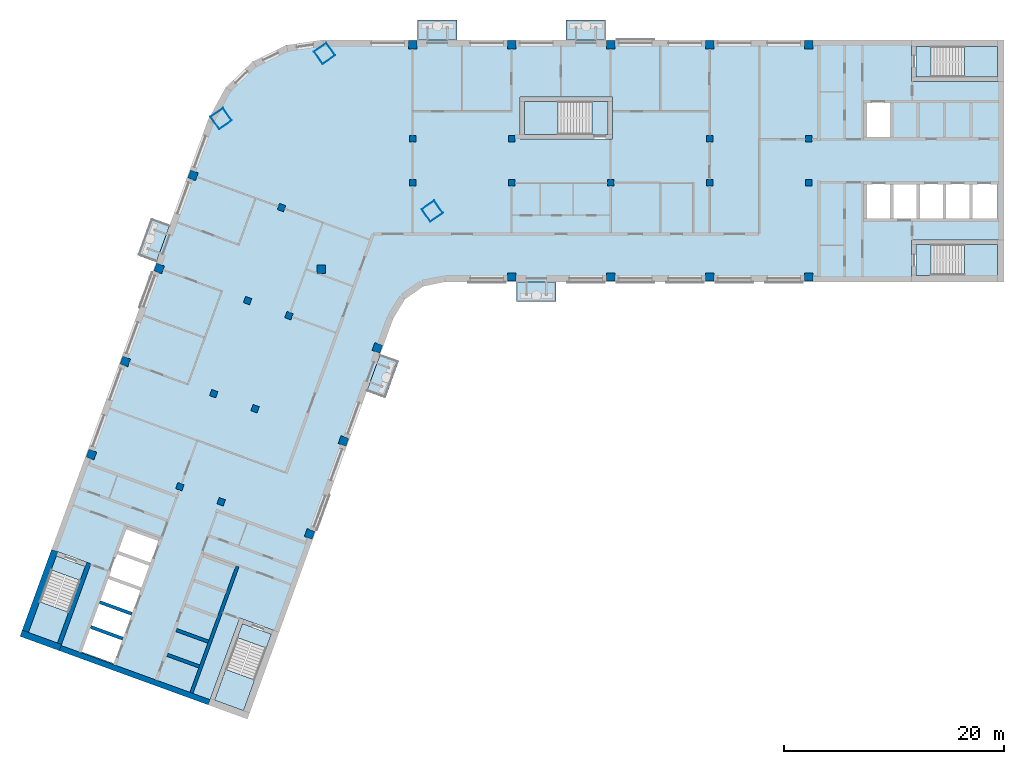
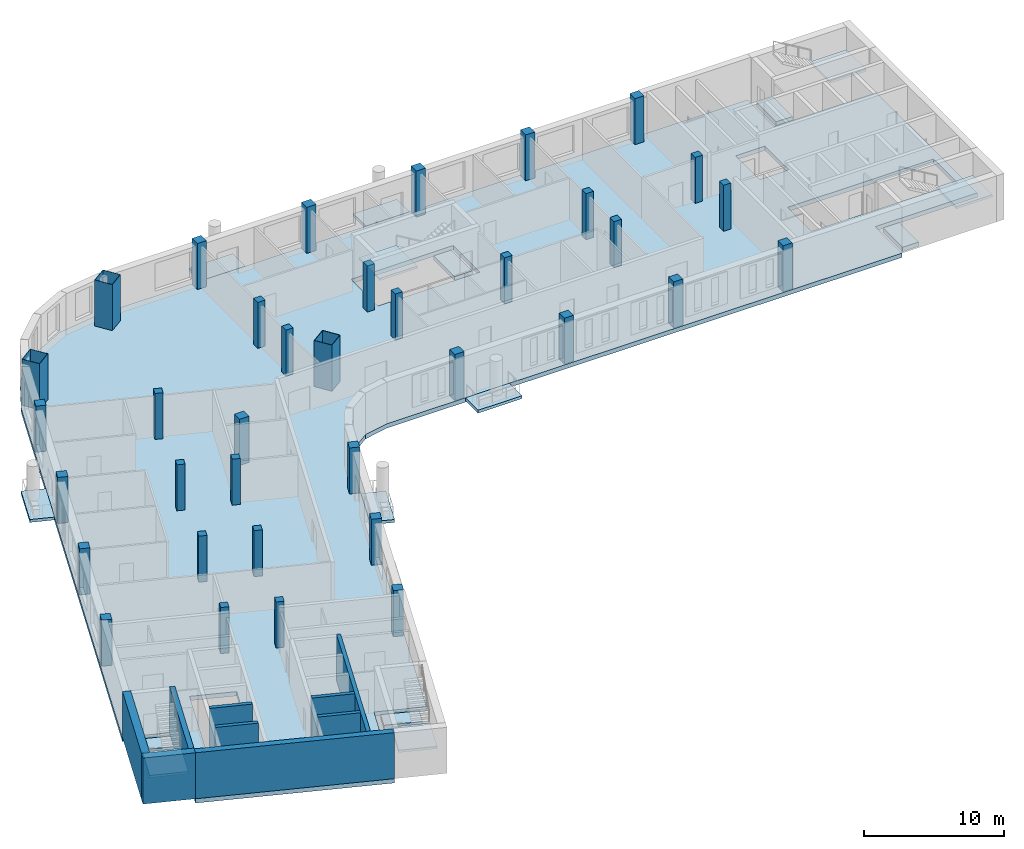
# One storey, part 1 of 10: 36 columns, 16 slabs, 9 walls, 5 elements without a shape of their own.
"""IFC4 building model written with IfcOpenShell, lengths in metres."""

from ifc_helpers import new_model, si_unit, direction, frame, frame_2d, origin, origin_2d, place, context, subcontext, project, spatial, polyline, rectangle, hollow_rectangle, outline, extrude, material, layer, layer_set, material_profile, profile_set, type_object, element, aggregate, save


model = new_model("IFC4")

# Units and contexts
model_context = context("Model", 3, precision=1e-05, world=origin(), true_north=direction((0.0, 1.0)))
body_context = subcontext(model_context, "Body", "Model", "MODEL_VIEW")
ifc_project = project(units=[si_unit("LENGTHUNIT", "METRE"), si_unit("AREAUNIT", "SQUARE_METRE"), si_unit("VOLUMEUNIT", "CUBIC_METRE"), si_unit("PLANEANGLEUNIT", "RADIAN"), si_unit("MASSUNIT", "GRAM", prefix="KILO")], contexts=[model_context])

# Site, building, storey
site_placement = place(None, origin())
site = spatial("IfcSite", under=ifc_project, at=site_placement, CompositionType="ELEMENT")
building_placement = place(site_placement, origin())
building = spatial("IfcBuilding", under=site, at=building_placement, Name="Skarvind Civic Tower", CompositionType="ELEMENT")
storey_placement = place(building_placement, frame((0.0, 0.0, 228.0)))
storey = spatial("IfcBuildingStorey", under=building, at=storey_placement, Name="L54", CompositionType="ELEMENT", Elevation=228.0)

# Columns
ifc_material_1 = material(Name="Concrete C60", Category="concrete")
ifc_material_profile_1 = material_profile(ifc_material_1, rectangle(XDim=0.60009765625, YDim=0.60009765625, at=origin_2d()), Name="RC-600x600")
ifc_profile_set_1 = profile_set([ifc_material_profile_1], Name="Concrete C60")
column_type_1 = type_object("IfcColumnType", Name="Column RC-600x600 C60", PredefinedType="COLUMN", material=ifc_profile_set_1)
for number, where, z_axis, x_axis, name in (
    (1, (54.25, 130.0, 0.0), (0.0, 0.0, 1.0), (1.0, 0.0, 0.0), "Column wing 1 north inner 02 L54"),
    (2, (63.25, 130.0, 0.0), (0.0, 0.0, 1.0), (1.0, 0.0, 0.0), "Column wing 1 north inner 03 L54"),
    (3, (81.25, 130.0, 0.0), (0.0, 0.0, 1.0), (1.0, 0.0, 0.0), "Column wing 1 north inner 05 L54"),
    (4, (90.25, 130.0, 0.0), (0.0, 0.0, 1.0), (1.0, 0.0, 0.0), "Column wing 1 north inner 06 L54"),
    (5, (54.25, 126.0, 0.0), (0.0, 0.0, 1.0), (1.0, 0.0, 0.0), "Column wing 1 south inner 02 L54"),
    (6, (63.25, 126.0, 0.0), (0.0, 0.0, 1.0), (1.0, 0.0, 0.0), "Column wing 1 south inner 03 L54"),
    (7, (72.25, 126.0, 0.0), (0.0, 0.0, 1.0), (1.0, 0.0, 0.0), "Column wing 1 south inner 04 L54"),
    (8, (81.25, 126.0, 0.0), (0.0, 0.0, 1.0), (1.0, 0.0, 0.0), "Column wing 1 south inner 05 L54"),
    (9, (90.25, 126.0, 0.0), (0.0, 0.0, 1.0), (1.0, 0.0, 0.0), "Column wing 1 south inner 06 L54"),
    (10, (43.005615234375, 113.92529296875, 0.0), (0.0, 0.0, 1.0), (-0.342020143326, -0.939692620786, 0.0), "Column wing 2 left inner 02 L54"),
    (11, (39.927490234375, 105.468017578125, 0.0), (0.0, 0.0, 1.0), (-0.342020143326, -0.939692620786, 0.0), "Column wing 2 left inner 03 L54"),
    (12, (36.84912109375, 97.010986328125, 0.0), (0.0, 0.0, 1.0), (-0.342020143326, -0.939692620786, 0.0), "Column wing 2 left inner 04 L54"),
    (13, (42.324951171875, 123.750732421875, 0.0), (0.0, 0.0, 1.0), (-0.342020143326, -0.939692620786, 0.0), "Column wing 2 right inner 01 L54"),
    (14, (39.246826171875, 115.29345703125, 0.0), (0.0, 0.0, 1.0), (-0.342020143326, -0.939692620786, 0.0), "Column wing 2 right inner 02 L54"),
    (15, (36.168701171875, 106.836181640625, 0.0), (0.0, 0.0, 1.0), (-0.342020143326, -0.939692620786, 0.0), "Column wing 2 right inner 03 L54"),
    (16, (33.090576171875, 98.37890625, 0.0), (0.0, 0.0, 1.0), (-0.342020143326, -0.939692620786, 0.0), "Column wing 2 right inner 04 L54"),
):
    element("IfcColumn", number, at=place(storey_placement, frame(where, z_axis=z_axis, x_axis=x_axis)), inside=storey, type_object=column_type_1, Name=name, PredefinedType="COLUMN", context=body_context, shape_type="SweptSolid", body=[
        extrude(rectangle(XDim=0.60009765625, YDim=0.60009765625, at=origin_2d()), origin(), (0.0, 0.0, 1.0), 4.0),
    ])
ifc_material_profile_2 = material_profile(ifc_material_1, rectangle(XDim=0.75, YDim=0.75, at=origin_2d()), Name="RC-750x750")
ifc_profile_set_2 = profile_set([ifc_material_profile_2], Name="Concrete C60")
column_type_2 = type_object("IfcColumnType", Name="Column RC-750x750 C60", PredefinedType="COLUMN", material=ifc_profile_set_2)
for number, where, z_axis, x_axis, name in (
    (17, (54.25, 138.550048828125, 0.0), (0.0, 0.0, 1.0), (1.0, 0.0, 0.0), "Column wing 1 north perimeter 02 L54"),
    (18, (63.25, 138.550048828125, 0.0), (0.0, 0.0, 1.0), (1.0, 0.0, 0.0), "Column wing 1 north perimeter 03 L54"),
    (19, (72.25, 138.550048828125, 0.0), (0.0, 0.0, 1.0), (1.0, 0.0, 0.0), "Column wing 1 north perimeter 04 L54"),
    (20, (81.25, 138.550048828125, 0.0), (0.0, 0.0, 1.0), (1.0, 0.0, 0.0), "Column wing 1 north perimeter 05 L54"),
    (21, (90.25, 138.550048828125, 0.0), (0.0, 0.0, 1.0), (1.0, 0.0, 0.0), "Column wing 1 north perimeter 06 L54"),
    (22, (45.95166015625, 118.151611328125, 0.0), (0.0, 0.0, 1.0), (1.0, 0.0, 0.0), "Column wing 1 south perimeter 01 L54"),
    (23, (63.25, 117.449951171875, 0.0), (0.0, 0.0, 1.0), (1.0, 0.0, 0.0), "Column wing 1 south perimeter 03 L54"),
    (24, (72.25, 117.449951171875, 0.0), (0.0, 0.0, 1.0), (1.0, 0.0, 0.0), "Column wing 1 south perimeter 04 L54"),
    (25, (81.25, 117.449951171875, 0.0), (0.0, 0.0, 1.0), (1.0, 0.0, 0.0), "Column wing 1 south perimeter 05 L54"),
    (26, (90.25, 117.449951171875, 0.0), (0.0, 0.0, 1.0), (1.0, 0.0, 0.0), "Column wing 1 south perimeter 06 L54"),
    (27, (51.0400390625, 111.0009765625, 0.0), (0.0, 0.0, 1.0), (-0.342020143326, -0.939692620786, 0.0), "Column wing 2 left perimeter 02 L54"),
    (28, (47.961669921875, 102.5439453125, 0.0), (0.0, 0.0, 1.0), (-0.342020143326, -0.939692620786, 0.0), "Column wing 2 left perimeter 03 L54"),
    (29, (44.883544921875, 94.086669921875, 0.0), (0.0, 0.0, 1.0), (-0.342020143326, -0.939692620786, 0.0), "Column wing 2 left perimeter 04 L54"),
    (30, (34.29052734375, 126.6748046875, 0.0), (0.0, 0.0, 1.0), (-0.342020143326, -0.939692620786, 0.0), "Column wing 2 right perimeter 01 L54"),
    (31, (31.21240234375, 118.2177734375, 0.0), (0.0, 0.0, 1.0), (-0.342020143326, -0.939692620786, 0.0), "Column wing 2 right perimeter 02 L54"),
    (32, (28.13427734375, 109.760498046875, 0.0), (0.0, 0.0, 1.0), (-0.342020143326, -0.939692620786, 0.0), "Column wing 2 right perimeter 03 L54"),
    (33, (25.05615234375, 101.30322265625, 0.0), (0.0, 0.0, 1.0), (-0.342020143326, -0.939692620786, 0.0), "Column wing 2 right perimeter 04 L54"),
):
    element("IfcColumn", number, at=place(storey_placement, frame(where, z_axis=z_axis, x_axis=x_axis)), inside=storey, type_object=column_type_2, Name=name, PredefinedType="COLUMN", context=body_context, shape_type="SweptSolid", body=[
        extrude(rectangle(XDim=0.75, YDim=0.75, at=origin_2d()), origin(), (0.0, 0.0, 1.0), 4.0),
    ])
ifc_material_2 = material(Name="Composite concrete-filled steel tube, Steel SM355 with Concrete C60", Category="concrete")
ifc_material_profile_3 = material_profile(ifc_material_2, hollow_rectangle(XDim=1.39990234375, YDim=1.39990234375, WallThickness=0.031982421875, at=origin_2d()), Name="BOX-1400x1400x32")
ifc_profile_set_3 = profile_set([ifc_material_profile_3], Name="Composite concrete-filled steel tube, Steel SM355 with Concrete C60")
column_type_3 = type_object("IfcColumnType", Name="Mega column BOX-1400x1400x32 filled C60", PredefinedType="COLUMN", material=ifc_profile_set_3)
for number, where, z_axis, x_axis, name in (
    (34, (36.845947265625, 131.837646484375, 0.0), (0.0, 0.0, 1.0), (0.573576436351, -0.819152044289, 0.0), "Mega column 1 L54"),
    (35, (46.2470703125, 137.762451171875, 0.0), (0.0, 0.0, 1.0), (0.573576436351, -0.819152044289, 0.0), "Mega column 2 L54"),
    (36, (56.0361328125, 123.43017578125, 0.0), (0.0, 0.0, 1.0), (0.573576436351, -0.819152044289, 0.0), "Mega column 4 L54"),
):
    element("IfcColumn", number, at=place(storey_placement, frame(where, z_axis=z_axis, x_axis=x_axis)), inside=storey, type_object=column_type_3, Name=name, PredefinedType="COLUMN", context=body_context, shape_type="SweptSolid", body=[
        extrude(hollow_rectangle(XDim=1.39990234375, YDim=1.39990234375, WallThickness=0.031982421875, at=origin_2d()), origin(), (0.0, 0.0, 1.0), 4.0),
    ])

# Slabs
ifc_material_3 = material(Name="Concrete C50", Category="concrete")
ifc_layer_1 = layer(ifc_material_3, 0.375)
ifc_layer_set_1 = layer_set([ifc_layer_1], Name="Floor slab 375 C50")
slab_type_1 = type_object("IfcSlabType", Name="Floor slab 375 C50", PredefinedType="FLOOR", material=ifc_layer_set_1)
slab_1_placement = place(storey_placement, frame((0.0, 0.0, -0.375)))
element("IfcSlab", 37, at=slab_1_placement, inside=storey, type_object=slab_type_1, Name="Floor slab L54 1", PredefinedType="FLOOR", context=body_context, shape_type="SweptSolid", body=[
    extrude(outline(polyline([(99.60009765625, 117.0), (99.60009765625, 120.800048828125), (108.0, 120.800048828125), (108.0, 135.199951171875), (99.60009765625, 135.199951171875), (99.60009765625, 139.0), (46.095458984375, 139.0), (42.739501953125, 138.5009765625), (39.6943359375, 137.005615234375), (37.24755859375, 134.6552734375), (35.630615234375, 131.672607421875), (19.41748046875, 87.126708984375), (21.435302734375, 92.6708984375), (25.006103515625, 91.371337890625), (22.13330078125, 83.477783203125), (36.886474609375, 78.108154296875), (35.664794921875, 78.552734375), (38.53759765625, 86.4462890625), (42.108642578125, 85.146484375), (40.0908203125, 79.602294921875), (40.0908203125, 79.602294921875), (52.493896484375, 113.68017578125), (53.560791015625, 115.421630859375), (55.23388671875, 116.593017578125), (57.235107421875, 117.0), (99.60009765625, 117.0)]), holes=[polyline([(25.671630859375, 87.9365234375), (26.492431640625, 90.19189453125), (27.313232421875, 92.447021484375), (28.134033203125, 94.702392578125), (31.3291015625, 93.53955078125), (30.50830078125, 91.2841796875), (29.6875, 89.029052734375), (28.866455078125, 86.773681640625), (28.866455078125, 86.773681640625), (28.045654296875, 84.5185546875), (27.224853515625, 82.26318359375), (24.02978515625, 83.426025390625), (24.8505859375, 85.681396484375), (25.671630859375, 87.9365234375), (25.671630859375, 87.9365234375)]), polyline([(64.0, 130.0), (64.0, 133.800048828125), (72.39990234375, 133.800048828125), (72.39990234375, 130.0), (64.0, 130.0)]), polyline([(97.800048828125, 126.0), (100.199951171875, 126.0), (102.60009765625, 126.0), (105.0, 126.0), (107.39990234375, 126.0), (107.39990234375, 122.60009765625), (105.0, 122.60009765625), (102.60009765625, 122.60009765625), (100.199951171875, 122.60009765625), (97.800048828125, 122.60009765625), (95.39990234375, 122.60009765625), (95.39990234375, 126.0), (97.800048828125, 126.0)]), polyline([(97.800048828125, 133.39990234375), (97.800048828125, 130.0), (95.39990234375, 130.0), (95.39990234375, 133.39990234375), (97.800048828125, 133.39990234375)])]), origin(), (0.0, 0.0, 1.0), 0.375),
])
ifc_material_4 = material(Name="Precast concrete C40/50", Category="concrete")
ifc_layer_2 = layer(ifc_material_4, 0.25)
ifc_layer_set_2 = layer_set([ifc_layer_2], Name="SX3 BALCONY SLAB 250")
slab_type_2 = type_object("IfcSlabType", Name="SX3 BALCONY SLAB 250", PredefinedType="FLOOR", material=ifc_layer_set_2)
slab_2_placement = place(storey_placement, frame((0.0, 0.0, -0.25)))
element("IfcSlab", 38, at=slab_2_placement, inside=storey, type_object=slab_type_2, Name="TREE BALCONY SLAB", PredefinedType="FLOOR", context=body_context, shape_type="SweptSolid", body=[
    extrude(outline(polyline([(51.308837890625, 110.42431640625), (50.07763671875, 107.04150390625), (51.76904296875, 106.42578125), (53.00048828125, 109.80859375), (51.308837890625, 110.42431640625)])), origin(), (0.0, 0.0, 1.0), 0.25),
])
slab_3_placement = place(storey_placement, frame((0.0, 0.0, -0.25)))
element("IfcSlab", 39, at=slab_3_placement, inside=storey, type_object=slab_type_2, Name="TREE BALCONY SLAB", PredefinedType="FLOOR", context=body_context, shape_type="SweptSolid", body=[
    extrude(outline(polyline([(67.300048828125, 117.0), (63.699951171875, 117.0), (63.699951171875, 115.199951171875), (67.300048828125, 115.199951171875), (67.300048828125, 117.0)])), origin(), (0.0, 0.0, 1.0), 0.25),
])
slab_4_placement = place(storey_placement, frame((0.0, 0.0, -0.25)))
element("IfcSlab", 40, at=slab_4_placement, inside=storey, type_object=slab_type_2, Name="TREE BALCONY SLAB", PredefinedType="FLOOR", context=body_context, shape_type="SweptSolid", body=[
    extrude(outline(polyline([(54.699951171875, 139.0), (58.300048828125, 139.0), (58.300048828125, 140.800048828125), (54.699951171875, 140.800048828125), (54.699951171875, 139.0)])), origin(), (0.0, 0.0, 1.0), 0.25),
])
slab_5_placement = place(storey_placement, frame((0.0, 0.0, -0.25)))
element("IfcSlab", 41, at=slab_5_placement, inside=storey, type_object=slab_type_2, Name="TREE BALCONY SLAB", PredefinedType="FLOOR", context=body_context, shape_type="SweptSolid", body=[
    extrude(outline(polyline([(68.199951171875, 139.0), (71.800048828125, 139.0), (71.800048828125, 140.800048828125), (68.199951171875, 140.800048828125), (68.199951171875, 139.0)])), origin(), (0.0, 0.0, 1.0), 0.25),
])
slab_6_placement = place(storey_placement, frame((0.0, 0.0, -0.25)))
element("IfcSlab", 42, at=slab_6_placement, inside=storey, type_object=slab_type_2, Name="TREE BALCONY SLAB", PredefinedType="FLOOR", context=body_context, shape_type="SweptSolid", body=[
    extrude(outline(polyline([(30.943603515625, 118.79443359375), (32.1748046875, 122.177490234375), (30.4833984375, 122.79296875), (29.252197265625, 119.41015625), (30.943603515625, 118.79443359375)])), origin(), (0.0, 0.0, 1.0), 0.25),
])
ifc_material_5 = material(Name="Concrete C40/50", Category="concrete")
ifc_layer_3 = layer(ifc_material_5, 0.375)
ifc_layer_set_3 = layer_set([ifc_layer_3], Name="Stair floor landing slab 375")
slab_type_3 = type_object("IfcSlabType", Name="Stair floor landing slab 375", PredefinedType="LANDING", material=ifc_layer_set_3)
slab_7_placement = place(storey_placement, frame((0.0, 0.0, -0.375)))
element("IfcSlab", 43, at=slab_7_placement, inside=storey, type_object=slab_type_3, Name="Stair floor landing", PredefinedType="LANDING", context=body_context, shape_type="SweptSolid", body=[
    extrude(outline(polyline([(101.3505859375, 138.400634765625), (101.3505859375, 135.599365234375), (99.99951171875, 135.599365234375), (99.99951171875, 138.400634765625), (101.3505859375, 138.400634765625)])), origin(), (0.0, 0.0, 1.0), 0.375),
])
slab_8_placement = place(storey_placement, frame((0.0, 0.0, -0.375)))
element("IfcSlab", 44, at=slab_8_placement, inside=storey, type_object=slab_type_3, Name="Stair floor landing", PredefinedType="LANDING", context=body_context, shape_type="SweptSolid", body=[
    extrude(outline(polyline([(101.3505859375, 120.400634765625), (101.3505859375, 117.599365234375), (99.99951171875, 117.599365234375), (99.99951171875, 120.400634765625), (101.3505859375, 120.400634765625)])), origin(), (0.0, 0.0, 1.0), 0.375),
])
slab_9_placement = place(storey_placement, frame((0.0, 0.0, -0.375)))
element("IfcSlab", 45, at=slab_9_placement, inside=storey, type_object=slab_type_3, Name="Stair floor landing", PredefinedType="LANDING", context=body_context, shape_type="SweptSolid", body=[
    extrude(outline(polyline([(40.946533203125, 83.70654296875), (38.314208984375, 84.66455078125), (38.7763671875, 85.934326171875), (41.40869140625, 84.976318359375), (40.946533203125, 83.70654296875)])), origin(), (0.0, 0.0, 1.0), 0.375),
])
slab_10_placement = place(storey_placement, frame((0.0, 0.0, -0.375)))
element("IfcSlab", 46, at=slab_10_placement, inside=storey, type_object=slab_type_3, Name="Stair floor landing", PredefinedType="LANDING", context=body_context, shape_type="SweptSolid", body=[
    extrude(outline(polyline([(24.0322265625, 89.863037109375), (21.39990234375, 90.821044921875), (21.862060546875, 92.090576171875), (24.494384765625, 91.132568359375), (24.0322265625, 89.863037109375)])), origin(), (0.0, 0.0, 1.0), 0.375),
])
slab_11_placement = place(storey_placement, frame((0.0, 0.0, -0.375)))
element("IfcSlab", 47, at=slab_11_placement, inside=storey, type_object=slab_type_3, Name="Stair floor landing", PredefinedType="LANDING", context=body_context, shape_type="SweptSolid", body=[
    extrude(outline(polyline([(70.54931640625, 130.3994140625), (70.54931640625, 133.400634765625), (72.00048828125, 133.400634765625), (72.00048828125, 130.3994140625), (70.54931640625, 130.3994140625)])), origin(), (0.0, 0.0, 1.0), 0.375),
])

# Stair, slab
stair_type_1 = type_object("IfcStairType", Name="Exit stair, half-turn, concrete", PredefinedType="HALF_TURN_STAIR", material=ifc_material_5)
stair_1_placement = place(storey_placement, origin())
stair_1 = element("IfcStair", 48, at=stair_1_placement, inside=storey, type_object=stair_type_1, Name="Exit stair C1S", PredefinedType="HALF_TURN_STAIR")
ifc_layer_4 = layer(ifc_material_5, 0.199951171875)
ifc_layer_set_4 = layer_set([ifc_layer_4], Name="Stair half landing slab")
slab_type_4 = type_object("IfcSlabType", Name="Stair half landing slab", PredefinedType="LANDING", material=ifc_layer_set_4)
slab_12_placement = place(storey_placement, frame((0.0, 0.0, 1.800048828125)))
slab_12 = element("IfcSlab", 49, at=slab_12_placement, type_object=slab_type_4, Name="ST-C1S landing 1", PredefinedType="LANDING", context=body_context, shape_type="SweptSolid", body=[
    extrude(outline(polyline([(104.429443359375, 135.599365234375), (104.429443359375, 138.400634765625), (107.400634765625, 138.400634765625), (107.400634765625, 135.599365234375), (104.429443359375, 135.599365234375)])), origin(), (0.0, 0.0, 1.0), 0.199951171875),
])
aggregate(stair_1, [slab_12])

stair_2_placement = place(storey_placement, origin())
stair_2 = element("IfcStair", 50, at=stair_2_placement, inside=storey, type_object=stair_type_1, Name="Exit stair C1N", PredefinedType="HALF_TURN_STAIR")
slab_13_placement = place(storey_placement, frame((0.0, 0.0, 1.800048828125)))
slab_13 = element("IfcSlab", 51, at=slab_13_placement, type_object=slab_type_4, Name="ST-C1N landing 1", PredefinedType="LANDING", context=body_context, shape_type="SweptSolid", body=[
    extrude(outline(polyline([(104.429443359375, 117.599365234375), (104.429443359375, 120.400634765625), (107.400634765625, 120.400634765625), (107.400634765625, 117.599365234375), (104.429443359375, 117.599365234375)])), origin(), (0.0, 0.0, 1.0), 0.199951171875),
])
aggregate(stair_2, [slab_13])

stair_3_placement = place(storey_placement, origin())
stair_3 = element("IfcStair", 52, at=stair_3_placement, inside=storey, type_object=stair_type_1, Name="Exit stair C2S", PredefinedType="HALF_TURN_STAIR")
slab_14_placement = place(storey_placement, frame((0.0, 0.0, 1.800048828125)))
slab_14 = element("IfcSlab", 53, at=slab_14_placement, type_object=slab_type_4, Name="ST-C2S landing 1", PredefinedType="LANDING", context=body_context, shape_type="SweptSolid", body=[
    extrude(outline(polyline([(37.26123046875, 81.771484375), (39.8935546875, 80.8134765625), (38.87744140625, 78.021484375), (36.2451171875, 78.9794921875), (37.26123046875, 81.771484375)])), origin(), (0.0, 0.0, 1.0), 0.199951171875),
])
aggregate(stair_3, [slab_14])

stair_4_placement = place(storey_placement, origin())
stair_4 = element("IfcStair", 54, at=stair_4_placement, inside=storey, type_object=stair_type_1, Name="Exit stair C2N", PredefinedType="HALF_TURN_STAIR")
slab_15_placement = place(storey_placement, frame((0.0, 0.0, 1.800048828125)))
slab_15 = element("IfcSlab", 55, at=slab_15_placement, type_object=slab_type_4, Name="ST-C2N landing 1", PredefinedType="LANDING", context=body_context, shape_type="SweptSolid", body=[
    extrude(outline(polyline([(20.346923828125, 87.927734375), (22.97900390625, 86.9697265625), (21.962890625, 84.177734375), (19.33056640625, 85.1357421875), (20.346923828125, 87.927734375)])), origin(), (0.0, 0.0, 1.0), 0.199951171875),
])
aggregate(stair_4, [slab_15])

stair_type_2 = type_object("IfcStairType", Name="Exit stair 1450, half-turn, concrete", PredefinedType="HALF_TURN_STAIR", material=ifc_material_5)
stair_5_placement = place(storey_placement, origin())
stair_5 = element("IfcStair", 56, at=stair_5_placement, inside=storey, type_object=stair_type_2, Name="Exit stair CM", PredefinedType="HALF_TURN_STAIR")
slab_16_placement = place(storey_placement, frame((0.0, 0.0, 1.800048828125)))
slab_16 = element("IfcSlab", 57, at=slab_16_placement, type_object=slab_type_4, Name="ST-CM landing 1", PredefinedType="LANDING", context=body_context, shape_type="SweptSolid", body=[
    extrude(outline(polyline([(67.470703125, 133.400634765625), (67.470703125, 130.3994140625), (64.3994140625, 130.3994140625), (64.3994140625, 133.400634765625), (67.470703125, 133.400634765625)])), origin(), (0.0, 0.0, 1.0), 0.199951171875),
])
aggregate(stair_5, [slab_16])

# Walls
ifc_layer_5 = layer(ifc_material_1, 0.300048828125)
ifc_layer_set_5 = layer_set([ifc_layer_5], Name="Core wall 300 C60")
wall_type_1 = type_object("IfcWallType", Name="Core wall 300 C60", PredefinedType="SHEAR", material=ifc_layer_set_5)
wall_1_placement = place(storey_placement, frame((34.144287109375, 79.638427734375, 0.0), z_axis=(0.0, 0.0, 1.0), x_axis=(0.342016684409, 0.939693879721, 0.0)))
element("IfcWall", 58, at=wall_1_placement, inside=storey, type_object=wall_type_1, Name="Core wall C2 south lift row back L54", PredefinedType="SHEAR", context=body_context, shape_type="SweptSolid", body=[
    extrude(rectangle(XDim=12.25, YDim=0.300048828125, at=frame_2d((6.125, 0.0))), origin(), (0.0, 0.0, 1.0), 4.0),
])
wall_2_placement = place(storey_placement, frame((34.8583984375, 82.038818359375, 0.0), z_axis=(0.0, 0.0, 1.0), x_axis=(-0.939689908313, 0.342027595692, 0.0)))
element("IfcWall", 59, at=wall_2_placement, inside=storey, type_object=wall_type_1, Name="Core wall C2 south lift row division 1 L54", PredefinedType="SHEAR", context=body_context, shape_type="SweptSolid", body=[
    extrude(rectangle(XDim=3.10009765625, YDim=0.300048828125, at=frame_2d((1.550048828125, 0.0))), origin(), (0.0, 0.0, 1.0), 4.0),
])
wall_3_placement = place(storey_placement, frame((35.67919921875, 84.294189453125, 0.0), z_axis=(0.0, 0.0, 1.0), x_axis=(-0.939706007505, 0.341983361377, 0.0)))
element("IfcWall", 60, at=wall_3_placement, inside=storey, type_object=wall_type_1, Name="Core wall C2 south lift row division 2 L54", PredefinedType="SHEAR", context=body_context, shape_type="SweptSolid", body=[
    extrude(rectangle(XDim=3.099853515625, YDim=0.300048828125, at=frame_2d((1.5498046875, 0.0))), origin(), (0.0, 0.0, 1.0), 4.0),
])
for number, where, z_axis, x_axis, name in (
    (61, (27.90478515625, 84.56982421875, 0.0), (0.0, 0.0, 1.0), (-0.939689908313, 0.342027595692, 0.0), "Core wall C2 north lift row division 1 L54"),
    (62, (28.7255859375, 86.824951171875, 0.0), (0.0, 0.0, 1.0), (-0.939689908313, 0.342027595692, 0.0), "Core wall C2 north lift row division 2 L54"),
):
    element("IfcWall", number, at=place(storey_placement, frame(where, z_axis=z_axis, x_axis=x_axis)), inside=storey, type_object=wall_type_1, Name=name, PredefinedType="SHEAR", context=body_context, shape_type="SweptSolid", body=[
        extrude(rectangle(XDim=3.10009765625, YDim=0.300048828125, at=frame_2d((1.550048828125, 0.0))), origin(), (0.0, 0.0, 1.0), 4.0),
    ])
ifc_layer_6 = layer(ifc_material_1, 0.39990234375)
ifc_layer_set_6 = layer_set([ifc_layer_6], Name="Core wall 400 C60")
wall_type_2 = type_object("IfcWallType", Name="Core wall 400 C60", PredefinedType="SHEAR", material=ifc_layer_set_6)
wall_4_placement = place(storey_placement, frame((22.150390625, 84.110107421875, 0.0), z_axis=(0.0, 0.0, 1.0), x_axis=(0.342016982193, 0.939693771338, 0.0)))
element("IfcWall", 63, at=wall_4_placement, inside=storey, type_object=wall_type_2, Name="Core wall C2 north stair inner L54", PredefinedType="SHEAR", context=body_context, shape_type="SweptSolid", body=[
    extrude(rectangle(XDim=7.800048828125, YDim=0.39990234375, at=frame_2d((3.89990234375, 0.0))), origin(), (0.0, 0.0, 1.0), 4.0),
])
ifc_layer_7 = layer(ifc_material_1, 0.5)
ifc_layer_set_7 = layer_set([ifc_layer_7], Name="Core wall 500 C60")
wall_type_3 = type_object("IfcWallType", Name="Core wall 500 C60", PredefinedType="SHEAR", material=ifc_layer_set_7)
wall_5_placement = place(storey_placement, frame((35.750244140625, 78.787841796875, 0.0), z_axis=(0.0, 0.0, 1.0), x_axis=(-0.939692894512, 0.342019391267, 0.0)))
element("IfcWall", 64, at=wall_5_placement, inside=storey, type_object=wall_type_3, Name="Core wall C2 tip between the stairs L54", PredefinedType="SHEAR", context=body_context, shape_type="SweptSolid", body=[
    extrude(rectangle(XDim=14.39990234375, YDim=0.5, at=frame_2d((7.199951171875, 0.0))), origin(), (0.0, 0.0, 1.0), 4.0),
])
ifc_layer_8 = layer(ifc_material_1, 0.60009765625)
ifc_layer_set_8 = layer_set([ifc_layer_8], Name="Core wall 600 C60")
wall_type_4 = type_object("IfcWallType", Name="Core wall 600 C60", PredefinedType="SHEAR", material=ifc_layer_set_8)
wall_6_placement = place(storey_placement, frame((22.23583984375, 83.759765625, 0.0), z_axis=(0.0, 0.0, 1.0), x_axis=(-0.939680822529, 0.342052557032, 0.0)))
element("IfcWall", 65, at=wall_6_placement, inside=storey, type_object=wall_type_4, Name="Core wall C2 tip at the north stair L54", PredefinedType="SHEAR", context=body_context, shape_type="SweptSolid", body=[
    extrude(rectangle(XDim=3.800048828125, YDim=0.60009765625, at=frame_2d((1.89990234375, 0.0))), origin(), (0.0, 0.0, 1.0), 4.0),
])
wall_7_placement = place(storey_placement, frame((19.049560546875, 85.23876953125, 0.0), z_axis=(0.0, 0.0, 1.0), x_axis=(0.342016982193, 0.939693771338, 0.0)))
element("IfcWall", 66, at=wall_7_placement, inside=storey, type_object=wall_type_4, Name="Core wall C2 north side at the stair L54", PredefinedType="SHEAR", context=body_context, shape_type="SweptSolid", body=[
    extrude(rectangle(XDim=7.800048828125, YDim=0.60009765625, at=frame_2d((3.89990234375, 0.0))), origin(), (0.0, 0.0, 1.0), 4.0),
])

save(model, "model.ifc")
